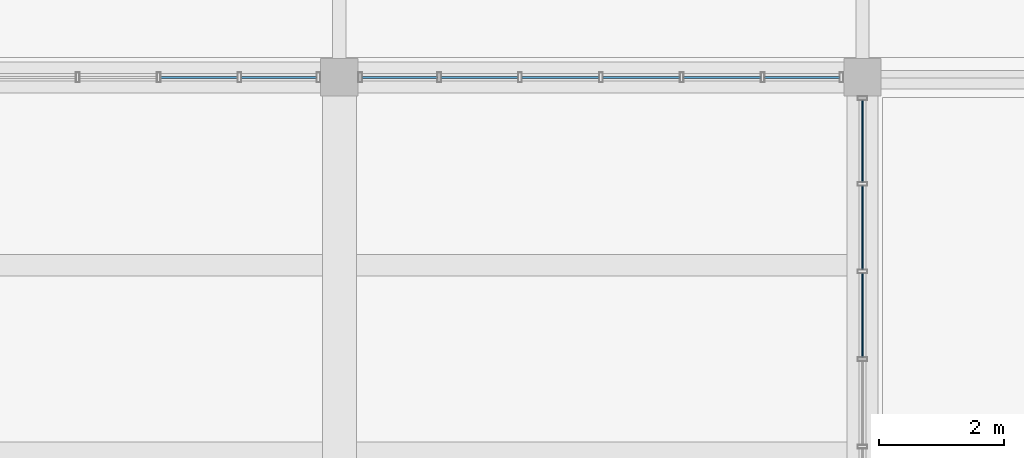
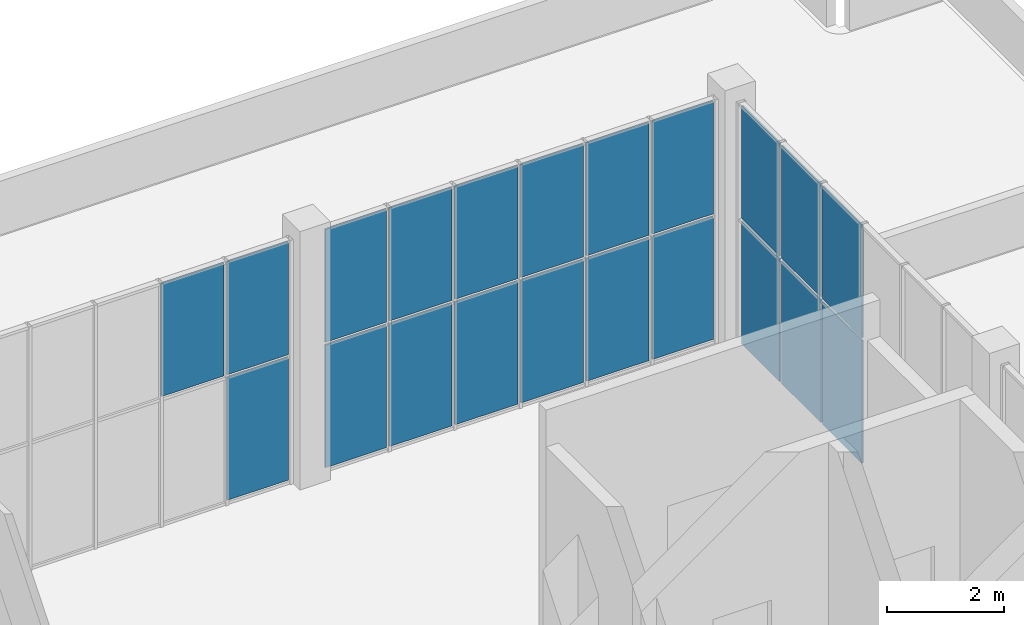
# One storey, part 108 of 132: 21 plates, 3 elements without a shape of their own.
"""IFC4 building model written with IfcOpenShell, lengths in metres."""

from ifc_helpers import new_model, si_unit, direction, frame, origin, origin_2d, place, context, subcontext, project, spatial, rectangle, extrude, material, layer, layer_set, type_object, element, aggregate, save


model = new_model("IFC4")

# Units and contexts
model_context = context("Model", 3, precision=1e-05, world=origin(), true_north=direction((0.0, 1.0)))
body_context = subcontext(model_context, "Body", "Model", "MODEL_VIEW")
ifc_project = project(units=[si_unit("LENGTHUNIT", "METRE"), si_unit("AREAUNIT", "SQUARE_METRE"), si_unit("VOLUMEUNIT", "CUBIC_METRE"), si_unit("PLANEANGLEUNIT", "RADIAN"), si_unit("MASSUNIT", "GRAM", prefix="KILO")], contexts=[model_context])

# Site, building, storey
site_placement = place(None, origin())
site = spatial("IfcSite", under=ifc_project, at=site_placement, CompositionType="ELEMENT")
building_placement = place(site_placement, origin())
building = spatial("IfcBuilding", under=site, at=building_placement, Name="Khurvash Pelagic Aquarium", CompositionType="ELEMENT")
storey_placement = place(building_placement, frame((0.0, 0.0, 5.39990234375)))
storey = spatial("IfcBuildingStorey", under=building, at=storey_placement, Name="L01", CompositionType="ELEMENT", Elevation=5.39990234375)

# Curtain wall, plates
ifc_material_1 = material(Name="Anodised aluminium and low-E laminated glass", Category="aluminium")
curtain_wall_type_1 = type_object("IfcCurtainWallType", Name="CW-05", PredefinedType="USERDEFINED", material=ifc_material_1)
curtain_wall_1_placement = place(storey_placement, origin())
curtain_wall_1 = element("IfcCurtainWall", 1, at=curtain_wall_1_placement, inside=storey, type_object=curtain_wall_type_1, Name="L01 Facade Unitised Curtain Wall CW-05 0114", ObjectType="UNITISED CURTAIN WALL", PredefinedType="USERDEFINED")
ifc_material_2 = material(Name="Low-E laminated double glazing", Category="glass")
ifc_layer_1 = layer(ifc_material_2, 0.033935546875)
ifc_layer_set_1 = layer_set([ifc_layer_1], Name="Low-E laminated double glazing")
plate_type_1 = type_object("IfcPlateType", Name="CG-05", PredefinedType="CURTAIN_PANEL", material=ifc_layer_set_1)
plate_1_placement = place(storey_placement, frame((116.630859375, 102.14990234375, 0.06005859375), z_axis=(0.0, 0.0, 1.0), x_axis=(-1.0, 0.0, 0.0)))
plate_1 = element("IfcPlate", 2, at=plate_1_placement, type_object=plate_type_1, Name="CW-05 panel 1.1", PredefinedType="CURTAIN_PANEL", context=body_context, shape_type="SweptSolid", body=[
    extrude(rectangle(XDim=1.208251953125, YDim=0.033935546875, at=origin_2d()), origin(), (0.0, 0.0, 1.0), 2.56201171875),
])
plate_2_placement = place(storey_placement, frame((116.630859375, 102.14990234375, 2.68212890625), z_axis=(0.0, 0.0, 1.0), x_axis=(-1.0, 0.0, 0.0)))
plate_2 = element("IfcPlate", 3, at=plate_2_placement, type_object=plate_type_1, Name="CW-05 panel 1.2", PredefinedType="CURTAIN_PANEL", context=body_context, shape_type="SweptSolid", body=[
    extrude(rectangle(XDim=1.208251953125, YDim=0.033935546875, at=origin_2d()), origin(), (0.0, 0.0, 1.0), 2.35791015625),
])
plate_3_placement = place(storey_placement, frame((115.347412109375, 102.14990234375, 0.06005859375), z_axis=(0.0, 0.0, 1.0), x_axis=(-1.0, 0.0, 0.0)))
plate_3 = element("IfcPlate", 4, at=plate_3_placement, type_object=plate_type_1, Name="CW-05 panel 2.1", PredefinedType="CURTAIN_PANEL", context=body_context, shape_type="SweptSolid", body=[
    extrude(rectangle(XDim=1.23828125, YDim=0.033935546875, at=origin_2d()), origin(), (0.0, 0.0, 1.0), 2.56201171875),
])
plate_4_placement = place(storey_placement, frame((115.347412109375, 102.14990234375, 2.68212890625), z_axis=(0.0, 0.0, 1.0), x_axis=(-1.0, 0.0, 0.0)))
plate_4 = element("IfcPlate", 5, at=plate_4_placement, type_object=plate_type_1, Name="CW-05 panel 2.2", PredefinedType="CURTAIN_PANEL", context=body_context, shape_type="SweptSolid", body=[
    extrude(rectangle(XDim=1.23828125, YDim=0.033935546875, at=origin_2d()), origin(), (0.0, 0.0, 1.0), 2.35791015625),
])
plate_5_placement = place(storey_placement, frame((114.049072265625, 102.14990234375, 0.06005859375), z_axis=(0.0, 0.0, 1.0), x_axis=(-1.0, 0.0, 0.0)))
plate_5 = element("IfcPlate", 6, at=plate_5_placement, type_object=plate_type_1, Name="CW-05 panel 3.1", PredefinedType="CURTAIN_PANEL", context=body_context, shape_type="SweptSolid", body=[
    extrude(rectangle(XDim=1.23828125, YDim=0.033935546875, at=origin_2d()), origin(), (0.0, 0.0, 1.0), 2.56201171875),
])
plate_6_placement = place(storey_placement, frame((114.049072265625, 102.14990234375, 2.68212890625), z_axis=(0.0, 0.0, 1.0), x_axis=(-1.0, 0.0, 0.0)))
plate_6 = element("IfcPlate", 7, at=plate_6_placement, type_object=plate_type_1, Name="CW-05 panel 3.2", PredefinedType="CURTAIN_PANEL", context=body_context, shape_type="SweptSolid", body=[
    extrude(rectangle(XDim=1.23828125, YDim=0.033935546875, at=origin_2d()), origin(), (0.0, 0.0, 1.0), 2.35791015625),
])
plate_7_placement = place(storey_placement, frame((112.750732421875, 102.14990234375, 0.06005859375), z_axis=(0.0, 0.0, 1.0), x_axis=(-1.0, 0.0, 0.0)))
plate_7 = element("IfcPlate", 8, at=plate_7_placement, type_object=plate_type_1, Name="CW-05 panel 4.1", PredefinedType="CURTAIN_PANEL", context=body_context, shape_type="SweptSolid", body=[
    extrude(rectangle(XDim=1.23828125, YDim=0.033935546875, at=origin_2d()), origin(), (0.0, 0.0, 1.0), 2.56201171875),
])
plate_8_placement = place(storey_placement, frame((112.750732421875, 102.14990234375, 2.68212890625), z_axis=(0.0, 0.0, 1.0), x_axis=(-1.0, 0.0, 0.0)))
plate_8 = element("IfcPlate", 9, at=plate_8_placement, type_object=plate_type_1, Name="CW-05 panel 4.2", PredefinedType="CURTAIN_PANEL", context=body_context, shape_type="SweptSolid", body=[
    extrude(rectangle(XDim=1.23828125, YDim=0.033935546875, at=origin_2d()), origin(), (0.0, 0.0, 1.0), 2.35791015625),
])
plate_9_placement = place(storey_placement, frame((111.452392578125, 102.14990234375, 0.06005859375), z_axis=(0.0, 0.0, 1.0), x_axis=(-1.0, 0.0, 0.0)))
plate_9 = element("IfcPlate", 10, at=plate_9_placement, type_object=plate_type_1, Name="CW-05 panel 5.1", PredefinedType="CURTAIN_PANEL", context=body_context, shape_type="SweptSolid", body=[
    extrude(rectangle(XDim=1.23828125, YDim=0.033935546875, at=origin_2d()), origin(), (0.0, 0.0, 1.0), 2.56201171875),
])
plate_10_placement = place(storey_placement, frame((111.452392578125, 102.14990234375, 2.68212890625), z_axis=(0.0, 0.0, 1.0), x_axis=(-1.0, 0.0, 0.0)))
plate_10 = element("IfcPlate", 11, at=plate_10_placement, type_object=plate_type_1, Name="CW-05 panel 5.2", PredefinedType="CURTAIN_PANEL", context=body_context, shape_type="SweptSolid", body=[
    extrude(rectangle(XDim=1.23828125, YDim=0.033935546875, at=origin_2d()), origin(), (0.0, 0.0, 1.0), 2.35791015625),
])
plate_11_placement = place(storey_placement, frame((110.169189453125, 102.14990234375, 0.06005859375), z_axis=(0.0, 0.0, 1.0), x_axis=(-1.0, 0.0, 0.0)))
plate_11 = element("IfcPlate", 12, at=plate_11_placement, type_object=plate_type_1, Name="CW-05 panel 6.1", PredefinedType="CURTAIN_PANEL", context=body_context, shape_type="SweptSolid", body=[
    extrude(rectangle(XDim=1.208251953125, YDim=0.033935546875, at=origin_2d()), origin(), (0.0, 0.0, 1.0), 2.56201171875),
])
plate_12_placement = place(storey_placement, frame((110.169189453125, 102.14990234375, 2.68212890625), z_axis=(0.0, 0.0, 1.0), x_axis=(-1.0, 0.0, 0.0)))
plate_12 = element("IfcPlate", 13, at=plate_12_placement, type_object=plate_type_1, Name="CW-05 panel 6.2", PredefinedType="CURTAIN_PANEL", context=body_context, shape_type="SweptSolid", body=[
    extrude(rectangle(XDim=1.208251953125, YDim=0.033935546875, at=origin_2d()), origin(), (0.0, 0.0, 1.0), 2.35791015625),
])
aggregate(curtain_wall_1, [plate_1, plate_2, plate_3, plate_4, plate_5, plate_6, plate_7, plate_8, plate_9, plate_10, plate_11, plate_12])

curtain_wall_2_placement = place(storey_placement, origin())
curtain_wall_2 = element("IfcCurtainWall", 14, at=curtain_wall_2_placement, inside=storey, type_object=curtain_wall_type_1, Name="L01 Facade Unitised Curtain Wall CW-05 0115", ObjectType="UNITISED CURTAIN WALL", PredefinedType="USERDEFINED")
plate_13_placement = place(storey_placement, frame((108.230712890625, 102.14990234375, 0.06005859375), z_axis=(0.0, 0.0, 1.0), x_axis=(-1.0, 0.0, 0.0)))
plate_13 = element("IfcPlate", 15, at=plate_13_placement, type_object=plate_type_1, Name="CW-05 panel 1.1", PredefinedType="CURTAIN_PANEL", context=body_context, shape_type="SweptSolid", body=[
    extrude(rectangle(XDim=1.208251953125, YDim=0.033935546875, at=origin_2d()), origin(), (0.0, 0.0, 1.0), 2.56201171875),
])
plate_14_placement = place(storey_placement, frame((108.230712890625, 102.14990234375, 2.68212890625), z_axis=(0.0, 0.0, 1.0), x_axis=(-1.0, 0.0, 0.0)))
plate_14 = element("IfcPlate", 16, at=plate_14_placement, type_object=plate_type_1, Name="CW-05 panel 1.2", PredefinedType="CURTAIN_PANEL", context=body_context, shape_type="SweptSolid", body=[
    extrude(rectangle(XDim=1.208251953125, YDim=0.033935546875, at=origin_2d()), origin(), (0.0, 0.0, 1.0), 2.35791015625),
])
plate_15_placement = place(storey_placement, frame((106.947509765625, 102.14990234375, 2.68212890625), z_axis=(0.0, 0.0, 1.0), x_axis=(-1.0, 0.0, 0.0)))
plate_15 = element("IfcPlate", 17, at=plate_15_placement, type_object=plate_type_1, Name="CW-05 panel 2.2", PredefinedType="CURTAIN_PANEL", context=body_context, shape_type="SweptSolid", body=[
    extrude(rectangle(XDim=1.23828125, YDim=0.033935546875, at=origin_2d()), origin(), (0.0, 0.0, 1.0), 2.35791015625),
])
aggregate(curtain_wall_2, [plate_13, plate_14, plate_15])

curtain_wall_type_2 = type_object("IfcCurtainWallType", Name="CW-06", PredefinedType="USERDEFINED", material=ifc_material_1)
curtain_wall_3_placement = place(storey_placement, origin())
curtain_wall_3 = element("IfcCurtainWall", 18, at=curtain_wall_3_placement, inside=storey, type_object=curtain_wall_type_2, Name="L01 Facade Unitised Curtain Wall CW-06 0113", ObjectType="UNITISED CURTAIN WALL", PredefinedType="USERDEFINED")
ifc_layer_2 = layer(ifc_material_2, 0.030029296875)
ifc_layer_set_2 = layer_set([ifc_layer_2], Name="Low-E laminated double glazing")
plate_type_2 = type_object("IfcPlateType", Name="CG-06", PredefinedType="CURTAIN_PANEL", material=ifc_layer_set_2)
plate_16_placement = place(storey_placement, frame((117.60009765625, 98.328369140625, 0.06005859375), z_axis=(0.0, 0.0, 1.0), x_axis=(0.0, 1.0, 0.0)))
plate_16 = element("IfcPlate", 19, at=plate_16_placement, type_object=plate_type_2, Name="CW-06 panel 4.1", PredefinedType="CURTAIN_PANEL", context=body_context, shape_type="SweptSolid", body=[
    extrude(rectangle(XDim=1.3466796875, YDim=0.030029296875, at=origin_2d()), origin(), (0.0, 0.0, 1.0), 2.56201171875),
])
plate_17_placement = place(storey_placement, frame((117.60009765625, 98.328369140625, 2.68212890625), z_axis=(0.0, 0.0, 1.0), x_axis=(0.0, 1.0, 0.0)))
plate_17 = element("IfcPlate", 20, at=plate_17_placement, type_object=plate_type_2, Name="CW-06 panel 4.2", PredefinedType="CURTAIN_PANEL", context=body_context, shape_type="SweptSolid", body=[
    extrude(rectangle(XDim=1.3466796875, YDim=0.030029296875, at=origin_2d()), origin(), (0.0, 0.0, 1.0), 2.35791015625),
])
plate_18_placement = place(storey_placement, frame((117.60009765625, 99.735107421875, 0.06005859375), z_axis=(0.0, 0.0, 1.0), x_axis=(0.0, 1.0, 0.0)))
plate_18 = element("IfcPlate", 21, at=plate_18_placement, type_object=plate_type_2, Name="CW-06 panel 5.1", PredefinedType="CURTAIN_PANEL", context=body_context, shape_type="SweptSolid", body=[
    extrude(rectangle(XDim=1.3466796875, YDim=0.030029296875, at=origin_2d()), origin(), (0.0, 0.0, 1.0), 2.56201171875),
])
plate_19_placement = place(storey_placement, frame((117.60009765625, 99.735107421875, 2.68212890625), z_axis=(0.0, 0.0, 1.0), x_axis=(0.0, 1.0, 0.0)))
plate_19 = element("IfcPlate", 22, at=plate_19_placement, type_object=plate_type_2, Name="CW-06 panel 5.2", PredefinedType="CURTAIN_PANEL", context=body_context, shape_type="SweptSolid", body=[
    extrude(rectangle(XDim=1.3466796875, YDim=0.030029296875, at=origin_2d()), origin(), (0.0, 0.0, 1.0), 2.35791015625),
])
plate_20_placement = place(storey_placement, frame((117.60009765625, 101.126708984375, 0.06005859375), z_axis=(0.0, 0.0, 1.0), x_axis=(0.0, 1.0, 0.0)))
plate_20 = element("IfcPlate", 23, at=plate_20_placement, type_object=plate_type_2, Name="CW-06 panel 6.1", PredefinedType="CURTAIN_PANEL", context=body_context, shape_type="SweptSolid", body=[
    extrude(rectangle(XDim=1.316650390625, YDim=0.030029296875, at=origin_2d()), origin(), (0.0, 0.0, 1.0), 2.56201171875),
])
plate_21_placement = place(storey_placement, frame((117.60009765625, 101.126708984375, 2.68212890625), z_axis=(0.0, 0.0, 1.0), x_axis=(0.0, 1.0, 0.0)))
plate_21 = element("IfcPlate", 24, at=plate_21_placement, type_object=plate_type_2, Name="CW-06 panel 6.2", PredefinedType="CURTAIN_PANEL", context=body_context, shape_type="SweptSolid", body=[
    extrude(rectangle(XDim=1.316650390625, YDim=0.030029296875, at=origin_2d()), origin(), (0.0, 0.0, 1.0), 2.35791015625),
])
aggregate(curtain_wall_3, [plate_16, plate_17, plate_18, plate_19, plate_20, plate_21])

save(model, "model.ifc")
